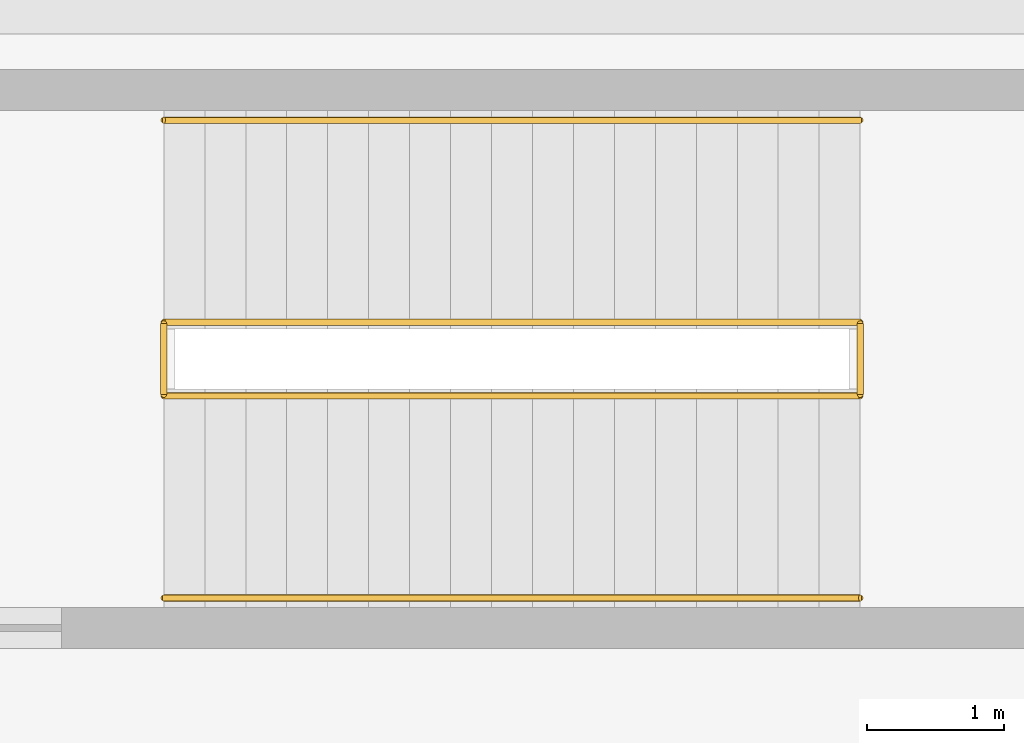
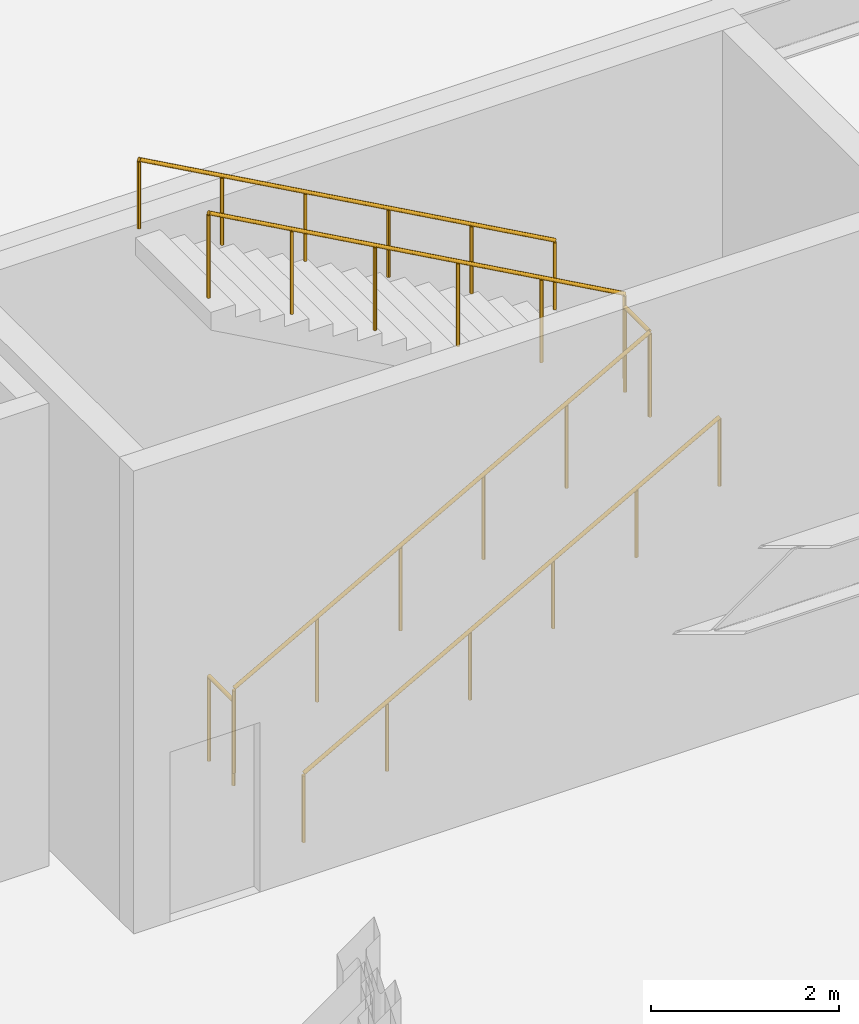
# One storey, part 103 of 105: 6 railings.
"""IFC4 building model written with IfcOpenShell, lengths in metres."""

from ifc_helpers import new_model, si_unit, direction, frame, origin, origin_2d, place, context, subcontext, project, spatial, circle, extrude, material, type_object, element, save


model = new_model("IFC4")

# Units and contexts
model_context = context("Model", 3, precision=1e-05, world=origin(), true_north=direction((0.0, 1.0)))
body_context = subcontext(model_context, "Body", "Model", "MODEL_VIEW")
ifc_project = project(units=[si_unit("LENGTHUNIT", "METRE"), si_unit("AREAUNIT", "SQUARE_METRE"), si_unit("VOLUMEUNIT", "CUBIC_METRE"), si_unit("PLANEANGLEUNIT", "RADIAN"), si_unit("MASSUNIT", "GRAM", prefix="KILO")], contexts=[model_context])

# Site, building, storey
site_placement = place(None, origin())
site = spatial("IfcSite", under=ifc_project, at=site_placement, CompositionType="ELEMENT")
building_placement = place(site_placement, origin())
building = spatial("IfcBuilding", under=site, at=building_placement, Name="Kaldorvane Square Convention Centre", CompositionType="ELEMENT")
storey_placement = place(building_placement, frame((0.0, 0.0, 6.0)))
storey = spatial("IfcBuildingStorey", under=building, at=storey_placement, Name="L01", CompositionType="ELEMENT", Elevation=6.0)

# Railings
ifc_material = material(Name="Architectural Painted Steel", Category="steel")
railing_type_1 = type_object("IfcRailingType", Name="RL-GUARD-1120", PredefinedType="BALUSTRADE", material=ifc_material)
for number, where, name in (
    (1, (67.89999389648438, 102.16999816894531, 0.0), "Tower Exit Stair T2 Floor Well Guard (L01)"),
    (2, (73.0, 102.16999816894531, 3.0), "Tower Exit Stair T2 Half-Landing Guard (L01)"),
):
    element("IfcRailing", number, at=place(storey_placement, frame(where)), inside=storey, type_object=railing_type_1, Name=name, PredefinedType="BALUSTRADE", context=body_context, shape_type="SweptSolid", body=[
        extrude(circle(Radius=0.0240020751953125, at=origin_2d()), frame((0.0, 0.0, 1.0959930419921875), z_axis=(0.0, 1.0, 0.0), x_axis=(-1.0, 0.0, 0.0)), (0.0, 0.0, 1.0), 0.5200042724609375),
        extrude(circle(Radius=0.02099609375, at=origin_2d()), origin(), (0.0, 0.0, 1.0), 1.071990966796875),
        extrude(circle(Radius=0.02099609375, at=origin_2d()), frame((0.0, 0.5200042724609375, 0.0)), (0.0, 0.0, 1.0), 1.071990966796875),
    ])
railing_1_placement = place(storey_placement, frame((67.89999389648438, 102.16000366210938, 0.1666717529296875)))
element("IfcRailing", 3, at=railing_1_placement, inside=storey, type_object=railing_type_1, Name="Tower Exit Stair T2 Flight 1 Guard (L01)", PredefinedType="BALUSTRADE", context=body_context, shape_type="SweptSolid", body=[
    extrude(circle(Radius=0.0240020751953125, at=origin_2d()), frame((0.0, 0.0, 1.0959930419921875), z_axis=(0.874157892962, 0.0, 0.485641820864), x_axis=(0.0, 1.0, 0.0)), (0.0, 0.0, 1.0), 5.834197998046875),
    extrude(circle(Radius=0.02099609375, at=origin_2d()), origin(), (0.0, 0.0, 1.0), 1.071990966796875),
    extrude(circle(Radius=0.02099609375, at=origin_2d()), frame((1.0200042724609375, 0.0, 0.5666656494140625)), (0.0, 0.0, 1.0), 1.071990966796875),
    extrude(circle(Radius=0.02099609375, at=origin_2d()), frame((2.040008544921875, 0.0, 1.133331298828125)), (0.0, 0.0, 1.0), 1.071990966796875),
    extrude(circle(Radius=0.02099609375, at=origin_2d()), frame((3.05999755859375, 0.0, 1.6999969482421875)), (0.0, 0.0, 1.0), 1.071990966796875),
    extrude(circle(Radius=0.02099609375, at=origin_2d()), frame((4.0800018310546875, 0.0, 2.26666259765625)), (0.0, 0.0, 1.0), 1.071990966796875),
    extrude(circle(Radius=0.02099609375, at=origin_2d()), frame((5.100006103515625, 0.0, 2.8333282470703125)), (0.0, 0.0, 1.0), 1.071990966796875),
])
railing_2_placement = place(storey_placement, frame((73.0, 102.69999694824219, 3.1666717529296875)))
element("IfcRailing", 4, at=railing_2_placement, inside=storey, type_object=railing_type_1, Name="Tower Exit Stair T2 Flight 2 Guard (L01)", PredefinedType="BALUSTRADE", context=body_context, shape_type="SweptSolid", body=[
    extrude(circle(Radius=0.0240020751953125, at=origin_2d()), frame((0.0, 0.0, 1.0959930419921875), z_axis=(-0.874157892962, 0.0, 0.485641820864), x_axis=(0.0, -1.0, 0.0)), (0.0, 0.0, 1.0), 5.834197998046875),
    extrude(circle(Radius=0.02099609375, at=origin_2d()), origin(), (0.0, 0.0, 1.0), 1.071990966796875),
    extrude(circle(Radius=0.02099609375, at=origin_2d()), frame((-1.0200042724609375, 0.0, 0.5666656494140625)), (0.0, 0.0, 1.0), 1.071990966796875),
    extrude(circle(Radius=0.02099609375, at=origin_2d()), frame((-2.040008544921875, 0.0, 1.133331298828125)), (0.0, 0.0, 1.0), 1.071990966796875),
    extrude(circle(Radius=0.02099609375, at=origin_2d()), frame((-3.05999755859375, 0.0, 1.6999969482421875)), (0.0, 0.0, 1.0), 1.071990966796875),
    extrude(circle(Radius=0.02099609375, at=origin_2d()), frame((-4.0800018310546875, 0.0, 2.26666259765625)), (0.0, 0.0, 1.0), 1.071990966796875),
    extrude(circle(Radius=0.02099609375, at=origin_2d()), frame((-5.100006103515625, 0.0, 2.8333282470703125)), (0.0, 0.0, 1.0), 1.071990966796875),
])
railing_type_2 = type_object("IfcRailingType", Name="RL-HAND-915", PredefinedType="HANDRAIL", material=ifc_material)
railing_3_placement = place(storey_placement, frame((67.89999389648438, 100.67999267578125, 0.1666717529296875)))
element("IfcRailing", 5, at=railing_3_placement, inside=storey, type_object=railing_type_2, Name="Tower Exit Stair T2 Wall Handrail 1 (L01)", PredefinedType="HANDRAIL", context=body_context, shape_type="SweptSolid", body=[
    extrude(circle(Radius=0.0240020751953125, at=origin_2d()), frame((0.0, 0.0, 0.8909912109375), z_axis=(0.874157892962, 0.0, 0.485641820864), x_axis=(0.0, 1.0, 0.0)), (0.0, 0.0, 1.0), 5.834197998046875),
    extrude(circle(Radius=0.02099609375, at=origin_2d()), origin(), (0.0, 0.0, 1.0), 0.8669891357421875),
    extrude(circle(Radius=0.02099609375, at=origin_2d()), frame((1.0200042724609375, 0.0, 0.5666656494140625)), (0.0, 0.0, 1.0), 0.8669891357421875),
    extrude(circle(Radius=0.02099609375, at=origin_2d()), frame((2.040008544921875, 0.0, 1.133331298828125)), (0.0, 0.0, 1.0), 0.8669891357421875),
    extrude(circle(Radius=0.02099609375, at=origin_2d()), frame((3.05999755859375, 0.0, 1.6999969482421875)), (0.0, 0.0, 1.0), 0.8669891357421875),
    extrude(circle(Radius=0.02099609375, at=origin_2d()), frame((4.0800018310546875, 0.0, 2.26666259765625)), (0.0, 0.0, 1.0), 0.8669891357421875),
    extrude(circle(Radius=0.02099609375, at=origin_2d()), frame((5.100006103515625, 0.0, 2.8333282470703125)), (0.0, 0.0, 1.0), 0.8669891357421875),
])
railing_4_placement = place(storey_placement, frame((73.0, 104.17999267578125, 3.1666717529296875)))
element("IfcRailing", 6, at=railing_4_placement, inside=storey, type_object=railing_type_2, Name="Tower Exit Stair T2 Wall Handrail 2 (L01)", PredefinedType="HANDRAIL", context=body_context, shape_type="SweptSolid", body=[
    extrude(circle(Radius=0.0240020751953125, at=origin_2d()), frame((0.0, 0.0, 0.8909912109375), z_axis=(-0.874157892962, 0.0, 0.485641820864), x_axis=(0.0, -1.0, 0.0)), (0.0, 0.0, 1.0), 5.834197998046875),
    extrude(circle(Radius=0.02099609375, at=origin_2d()), origin(), (0.0, 0.0, 1.0), 0.8669891357421875),
    extrude(circle(Radius=0.02099609375, at=origin_2d()), frame((-1.0200042724609375, 0.0, 0.5666656494140625)), (0.0, 0.0, 1.0), 0.8669891357421875),
    extrude(circle(Radius=0.02099609375, at=origin_2d()), frame((-2.040008544921875, 0.0, 1.133331298828125)), (0.0, 0.0, 1.0), 0.8669891357421875),
    extrude(circle(Radius=0.02099609375, at=origin_2d()), frame((-3.05999755859375, 0.0, 1.6999969482421875)), (0.0, 0.0, 1.0), 0.8669891357421875),
    extrude(circle(Radius=0.02099609375, at=origin_2d()), frame((-4.0800018310546875, 0.0, 2.26666259765625)), (0.0, 0.0, 1.0), 0.8669891357421875),
    extrude(circle(Radius=0.02099609375, at=origin_2d()), frame((-5.100006103515625, 0.0, 2.8333282470703125)), (0.0, 0.0, 1.0), 0.8669891357421875),
])

save(model, "model.ifc")
